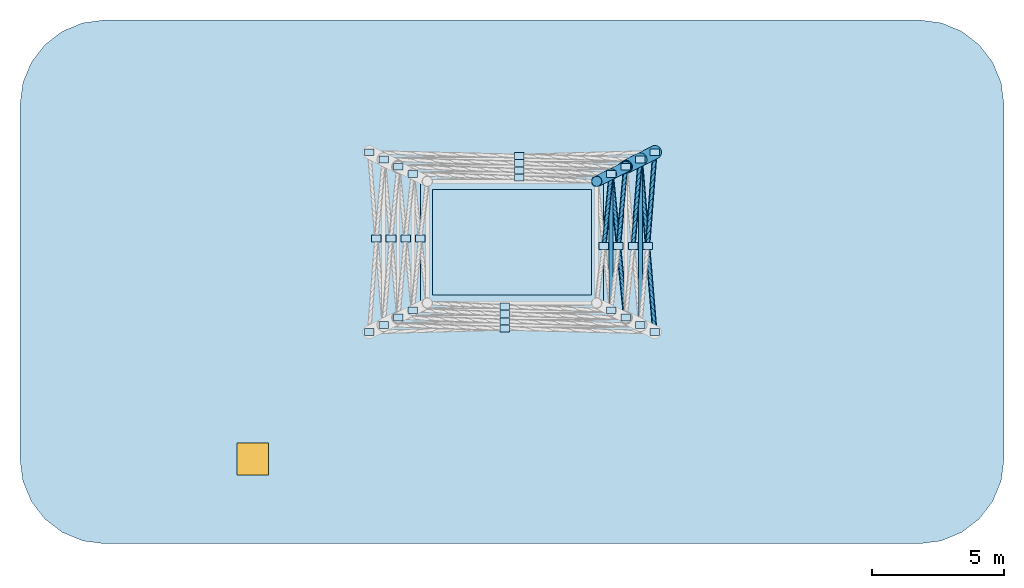
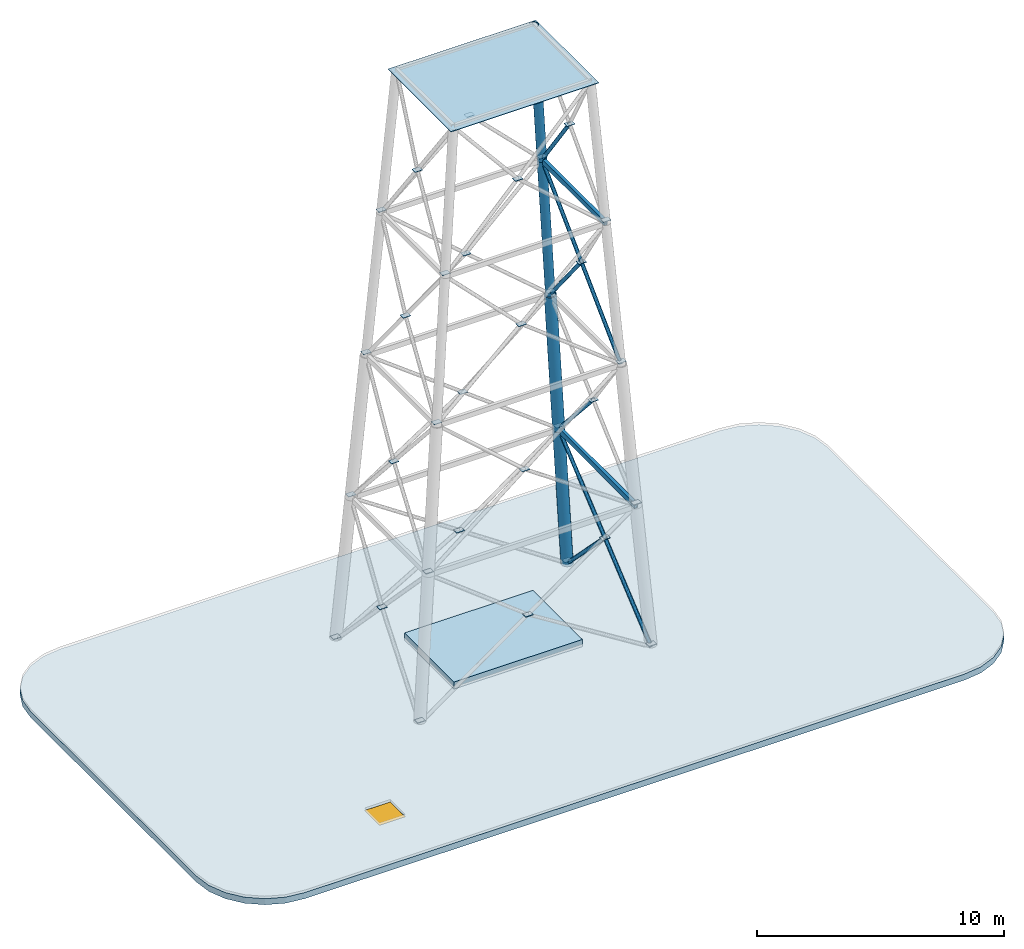
# One storey, part 2 of 3: 33 plates, 12 members, 2 slabs, 1 window, 1 opening.
"""IFC4 building model written with IfcOpenShell, lengths in metres."""

from ifc_helpers import new_model, si_unit, direction, frame, origin, origin_2d, place, context, subcontext, project, spatial, polyline, rectangle, hollow_rectangle, hollow_circle, outline, extrude, material, layer, layer_set, material_profile, profile_set, type_object, element, fill, save


model = new_model("IFC4")

# Units and contexts
model_context = context("Model", 3, precision=1e-05, world=origin(), true_north=direction((0.0, 1.0)))
body_context = subcontext(model_context, "Body", "Model", "MODEL_VIEW")
ifc_project = project(units=[si_unit("LENGTHUNIT", "METRE"), si_unit("AREAUNIT", "SQUARE_METRE"), si_unit("VOLUMEUNIT", "CUBIC_METRE"), si_unit("PLANEANGLEUNIT", "RADIAN"), si_unit("MASSUNIT", "GRAM", prefix="KILO")], contexts=[model_context])

# Site, building, storey
site_placement = place(None, origin())
site = spatial("IfcSite", under=ifc_project, at=site_placement, CompositionType="ELEMENT")
building_placement = place(site_placement, origin())
building = spatial("IfcBuilding", under=site, at=building_placement, Name="Zarnavel Station Tower", CompositionType="ELEMENT")
storey_placement = place(building_placement, frame((0.0, 0.0, 291.60009765625)))
storey = spatial("IfcBuildingStorey", under=building, at=storey_placement, Name="Roof", CompositionType="ELEMENT", Elevation=291.60009765625)

# Members
ifc_material_1 = material(Name="Steel S355J2", Category="steel")
ifc_material_profile_1 = material_profile(ifc_material_1, hollow_circle(Radius=0.084228515625, WallThickness=0.008056640625, at=origin_2d()), Name="CHS168.3x8")
ifc_profile_set_1 = profile_set([ifc_material_profile_1], Name="Steel S355J2")
member_type_1 = type_object("IfcMemberType", Name="MAST_DIAG_CHS168", PredefinedType="BRACE", material=ifc_profile_set_1)
member_1_placement = place(storey_placement, frame((34.199951171875, 28.800048828125, 0.0), z_axis=(-0.05738495784, 0.680723649907, 0.730289174965), x_axis=(-0.996465587481, -0.084001981913, 0.0)))
element("IfcMember", 1, at=member_1_placement, inside=storey, type_object=member_type_1, Name="Broadcast Mast Continuous Diagonal A T1-2", PredefinedType="BRACE", context=body_context, shape_type="SweptSolid", body=[
    extrude(hollow_circle(Radius=0.084228515625, WallThickness=0.008056640625, at=origin_2d()), origin(), (0.0, 0.0, 1.0), 9.585205078125),
])
member_2_placement = place(storey_placement, frame((34.199951171875, 35.60009765625, 0.0), z_axis=(-0.05515706823, -0.709792112475, 0.702248428188), x_axis=(0.996994279991, -0.077475193876, 0.0)))
element("IfcMember", 2, at=member_2_placement, inside=storey, type_object=member_type_1, Name="Broadcast Mast Split Diagonal B Lower T1-2", PredefinedType="BRACE", context=body_context, shape_type="SweptSolid", body=[
    extrude(hollow_circle(Radius=0.084228515625, WallThickness=0.008056640625, at=origin_2d()), origin(), (0.0, 0.0, 1.0), 4.98388671875),
])
member_3_placement = place(storey_placement, frame((33.64990234375, 35.324951171875, 7.0), z_axis=(-0.057359571195, -0.680724644648, 0.730290242137), x_axis=(0.996468707706, -0.083964960329, 0.0)))
element("IfcMember", 3, at=member_3_placement, inside=storey, type_object=member_type_1, Name="Broadcast Mast Split Diagonal B Lower T2-2", PredefinedType="BRACE", context=body_context, shape_type="SweptSolid", body=[
    extrude(hollow_circle(Radius=0.084228515625, WallThickness=0.008056640625, at=origin_2d()), origin(), (0.0, 0.0, 1.0), 4.792724609375),
])
member_4_placement = place(storey_placement, frame((33.10009765625, 29.35009765625, 14.0), z_axis=(-0.061990936244, 0.611379761803, 0.78890551442), x_axis=(-0.994898813192, -0.100877903966, 0.0)))
element("IfcMember", 4, at=member_4_placement, inside=storey, type_object=member_type_1, Name="Broadcast Mast Continuous Diagonal A T3-2", PredefinedType="BRACE", context=body_context, shape_type="SweptSolid", body=[
    extrude(hollow_circle(Radius=0.084228515625, WallThickness=0.008056640625, at=origin_2d()), origin(), (0.0, 0.0, 1.0), 8.873046875),
])
member_5_placement = place(storey_placement, frame((33.10009765625, 35.050048828125, 14.0), z_axis=(-0.059686032772, -0.648072744476, 0.75923599451), x_axis=(0.995785793262, -0.091709617472, 0.0)))
element("IfcMember", 5, at=member_5_placement, inside=storey, type_object=member_type_1, Name="Broadcast Mast Split Diagonal B Lower T3-2", PredefinedType="BRACE", context=body_context, shape_type="SweptSolid", body=[
    extrude(hollow_circle(Radius=0.084228515625, WallThickness=0.008056640625, at=origin_2d()), origin(), (0.0, 0.0, 1.0), 4.60986328125),
])
member_6_placement = place(storey_placement, frame((32.550048828125, 34.77490234375, 21.0), z_axis=(-0.062018345278, -0.611378718761, 0.788904168511), x_axis=(0.994894318466, -0.100922222944, 0.0)))
element("IfcMember", 6, at=member_6_placement, inside=storey, type_object=member_type_1, Name="Broadcast Mast Split Diagonal B Lower T4-2", PredefinedType="BRACE", context=body_context, shape_type="SweptSolid", body=[
    extrude(hollow_circle(Radius=0.084228515625, WallThickness=0.008056640625, at=origin_2d()), origin(), (0.0, 0.0, 1.0), 4.4365234375),
])
ifc_material_2 = material(Name="Steel S355J2", Category="steel")
ifc_material_profile_2 = material_profile(ifc_material_2, hollow_rectangle(XDim=0.14990234375, YDim=0.25, WallThickness=0.010009765625, at=origin_2d()), Name="RHS250x150x10")
ifc_profile_set_2 = profile_set([ifc_material_profile_2], Name="Steel S355J2")
member_type_2 = type_object("IfcMemberType", Name="MAST_GIRT_RHS250", PredefinedType="BRACE", material=ifc_profile_set_2)
member_7_placement = place(storey_placement, frame((33.64990234375, 29.074951171875, 7.0), z_axis=(0.0, 1.0, 0.0), x_axis=(-1.0, 0.0, 0.0)))
element("IfcMember", 7, at=member_7_placement, inside=storey, type_object=member_type_2, Name="Broadcast Mast Ring Girt T1-2", PredefinedType="BRACE", context=body_context, shape_type="SweptSolid", body=[
    extrude(hollow_rectangle(XDim=0.14990234375, YDim=0.25, WallThickness=0.010009765625, at=origin_2d()), origin(), (0.0, 0.0, 1.0), 6.25),
])
member_8_placement = place(storey_placement, frame((32.550048828125, 29.625, 21.0), z_axis=(0.0, 1.0, 0.0), x_axis=(-1.0, 0.0, 0.0)))
element("IfcMember", 8, at=member_8_placement, inside=storey, type_object=member_type_2, Name="Broadcast Mast Ring Girt T3-2", PredefinedType="BRACE", context=body_context, shape_type="SweptSolid", body=[
    extrude(hollow_rectangle(XDim=0.14990234375, YDim=0.25, WallThickness=0.010009765625, at=origin_2d()), origin(), (0.0, 0.0, 1.0), 5.14990234375),
])
ifc_material_3 = material(Name="Steel S460M", Category="steel")
ifc_material_profile_3 = material_profile(ifc_material_3, hollow_circle(Radius=0.203125, WallThickness=0.01611328125, at=origin_2d()), Name="CHS406.4x16")
ifc_profile_set_3 = profile_set([ifc_material_profile_3], Name="Steel S460M")
member_type_3 = type_object("IfcMemberType", Name="MAST_LEG_CHS406", PredefinedType="USERDEFINED", material=ifc_profile_set_3)
for number, where, z_axis, x_axis, name in (
    (9, (33.10009765625, 35.050048828125, 14.0), (-0.078276852743, -0.039155798065, 0.996162415373), (0.447372371903, -0.894347785181, 0.0), "Broadcast Mast Corner Leg Tier 3 Leg 3"),
    (10, (32.550048828125, 34.77490234375, 21.0), (-0.078276959184, -0.039121107874, 0.996163769959), (0.447054776807, -0.894506582723, 0.0), "Broadcast Mast Corner Leg Tier 4 Leg 3"),
):
    element("IfcMember", number, at=place(storey_placement, frame(where, z_axis=z_axis, x_axis=x_axis)), inside=storey, type_object=member_type_3, Name=name, ObjectType="MAST", PredefinedType="USERDEFINED", context=body_context, shape_type="SweptSolid", body=[
        extrude(hollow_circle(Radius=0.203125, WallThickness=0.01611328125, at=origin_2d()), origin(), (0.0, 0.0, 1.0), 7.02685546875),
    ])
ifc_material_4 = material(Name="Steel S460M", Category="steel")
ifc_material_profile_4 = material_profile(ifc_material_4, hollow_circle(Radius=0.25390625, WallThickness=0.02001953125, at=origin_2d()), Name="CHS508x20")
ifc_profile_set_4 = profile_set([ifc_material_profile_4], Name="Steel S460M")
member_type_4 = type_object("IfcMemberType", Name="MAST_LEG_CHS508", PredefinedType="USERDEFINED", material=ifc_profile_set_4)
for number, where, z_axis, x_axis, name in (
    (11, (34.199951171875, 35.60009765625, 0.0), (-0.078276852743, -0.039155798065, 0.996162415373), (0.447372371903, -0.894347785181, 0.0), "Broadcast Mast Corner Leg Tier 1 Leg 3"),
    (12, (33.64990234375, 35.324951171875, 7.0), (-0.078242428491, -0.039121214245, 0.996166478547), (0.4472135955, -0.894427191, 0.0), "Broadcast Mast Corner Leg Tier 2 Leg 3"),
):
    element("IfcMember", number, at=place(storey_placement, frame(where, z_axis=z_axis, x_axis=x_axis)), inside=storey, type_object=member_type_4, Name=name, ObjectType="MAST", PredefinedType="USERDEFINED", context=body_context, shape_type="SweptSolid", body=[
        extrude(hollow_circle(Radius=0.25390625, WallThickness=0.02001953125, at=origin_2d()), origin(), (0.0, 0.0, 1.0), 7.02685546875),
    ])

# Plates
ifc_material_5 = material(Name="Steel S460M", Category="steel")
ifc_layer_1 = layer(ifc_material_5, 0.02490234375)
ifc_layer_set_1 = layer_set([ifc_layer_1], Name="GP_GUSSET_25")
plate_type_1 = type_object("IfcPlateType", Name="GP_GUSSET_25", PredefinedType="USERDEFINED", material=ifc_layer_set_1)
plate_placement = place(storey_placement, frame((28.800048828125, 32.199951171875, 27.974853515625), z_axis=(0.0, 0.0, 1.0), x_axis=(1.0, 0.0, 0.0)))
element("IfcPlate", 13, at=plate_placement, inside=storey, type_object=plate_type_1, Name="Broadcast Mast Top Weather Cap Plate", ObjectType="GUSSET_PLATE", PredefinedType="USERDEFINED", context=body_context, shape_type="SweptSolid", body=[
    extrude(rectangle(XDim=6.89990234375, YDim=5.10009765625, at=origin_2d()), origin(), (0.0, 0.0, 1.0), 0.02490234375),
])
ifc_material_6 = material(Name="Steel S460M", Category="steel")
ifc_layer_2 = layer(ifc_material_6, 0.02001953125)
ifc_layer_set_2 = layer_set([ifc_layer_2], Name="GP_MAST_20")
plate_type_2 = type_object("IfcPlateType", Name="GP_MAST_20", PredefinedType="USERDEFINED", material=ifc_layer_set_2)
for number, where, z_axis, x_axis, name in (
    (14, (23.39990234375, 28.800048828125, 0.139892578125), (0.0, 0.0, 1.0), (1.0, 0.0, 0.0), "Broadcast Mast Splice Gusset T1-1"),
    (15, (34.199951171875, 28.800048828125, 0.139892578125), (0.0, 0.0, 1.0), (1.0, 0.0, 0.0), "Broadcast Mast Splice Gusset T1-2"),
    (16, (34.199951171875, 35.60009765625, 0.139892578125), (0.0, 0.0, 1.0), (1.0, 0.0, 0.0), "Broadcast Mast Splice Gusset T1-3"),
    (17, (23.39990234375, 35.60009765625, 0.139892578125), (0.0, 0.0, 1.0), (1.0, 0.0, 0.0), "Broadcast Mast Splice Gusset T1-4"),
    (18, (28.52490234375, 28.9375, 3.489990234375), (0.0, 0.0, 1.0), (1.0, 0.0, 0.0), "Broadcast Mast X-Crossing Gusset T1-1"),
    (19, (33.925048828125, 32.0625, 3.489990234375), (0.0, 0.0, 1.0), (1.0, 0.0, 0.0), "Broadcast Mast X-Crossing Gusset T1-2"),
    (20, (29.074951171875, 35.46240234375, 3.489990234375), (0.0, 0.0, 1.0), (1.0, 0.0, 0.0), "Broadcast Mast X-Crossing Gusset T1-3"),
    (21, (23.675048828125, 32.33740234375, 3.489990234375), (0.0, 0.0, 1.0), (1.0, 0.0, 0.0), "Broadcast Mast X-Crossing Gusset T1-4"),
    (22, (23.949951171875, 29.074951171875, 7.139892578125), (0.0, 0.0, 1.0), (1.0, 0.0, 0.0), "Broadcast Mast Splice Gusset T2-1"),
    (23, (33.64990234375, 29.074951171875, 7.139892578125), (0.0, 0.0, 1.0), (1.0, 0.0, 0.0), "Broadcast Mast Splice Gusset T2-2"),
    (24, (33.64990234375, 35.324951171875, 7.139892578125), (0.0, 0.0, 1.0), (1.0, 0.0, 0.0), "Broadcast Mast Splice Gusset T2-3"),
    (25, (23.949951171875, 35.324951171875, 7.139892578125), (0.0, 0.0, 1.0), (1.0, 0.0, 0.0), "Broadcast Mast Splice Gusset T2-4"),
    (26, (28.52490234375, 29.21240234375, 10.489990234375), (0.0, 0.0, 1.0), (1.0, 0.0, 0.0), "Broadcast Mast X-Crossing Gusset T2-1"),
    (27, (33.375, 32.0625, 10.489990234375), (0.0, 0.0, 1.0), (1.0, 0.0, 0.0), "Broadcast Mast X-Crossing Gusset T2-2"),
    (28, (29.074951171875, 35.1875, 10.489990234375), (0.0, 0.0, 1.0), (1.0, 0.0, 0.0), "Broadcast Mast X-Crossing Gusset T2-3"),
    (29, (24.22509765625, 32.33740234375, 10.489990234375), (0.0, 0.0, 1.0), (1.0, 0.0, 0.0), "Broadcast Mast X-Crossing Gusset T2-4"),
    (30, (24.5, 29.35009765625, 14.139892578125), (0.0, 0.0, 1.0), (1.0, 0.0, 0.0), "Broadcast Mast Splice Gusset T3-1"),
    (31, (33.10009765625, 29.35009765625, 14.139892578125), (0.0, 0.0, 1.0), (1.0, 0.0, 0.0), "Broadcast Mast Splice Gusset T3-2"),
    (32, (33.10009765625, 35.050048828125, 14.139892578125), (0.0, 0.0, 1.0), (1.0, 0.0, 0.0), "Broadcast Mast Splice Gusset T3-3"),
    (33, (24.5, 35.050048828125, 14.139892578125), (0.0, 0.0, 1.0), (1.0, 0.0, 0.0), "Broadcast Mast Splice Gusset T3-4"),
    (34, (28.52490234375, 29.487548828125, 17.489990234375), (0.0, 0.0, 1.0), (1.0, 0.0, 0.0), "Broadcast Mast X-Crossing Gusset T3-1"),
    (35, (32.824951171875, 32.0625, 17.489990234375), (0.0, 0.0, 1.0), (1.0, 0.0, 0.0), "Broadcast Mast X-Crossing Gusset T3-2"),
    (36, (29.074951171875, 34.91259765625, 17.489990234375), (0.0, 0.0, 1.0), (1.0, 0.0, 0.0), "Broadcast Mast X-Crossing Gusset T3-3"),
    (37, (24.77490234375, 32.33740234375, 17.489990234375), (0.0, 0.0, 1.0), (1.0, 0.0, 0.0), "Broadcast Mast X-Crossing Gusset T3-4"),
    (38, (25.050048828125, 29.625, 21.139892578125), (0.0, 0.0, 1.0), (1.0, 0.0, 0.0), "Broadcast Mast Splice Gusset T4-1"),
    (39, (32.550048828125, 29.625, 21.139892578125), (0.0, 0.0, 1.0), (1.0, 0.0, 0.0), "Broadcast Mast Splice Gusset T4-2"),
    (40, (32.550048828125, 34.77490234375, 21.139892578125), (0.0, 0.0, 1.0), (1.0, 0.0, 0.0), "Broadcast Mast Splice Gusset T4-3"),
    (41, (25.050048828125, 34.77490234375, 21.139892578125), (0.0, 0.0, 1.0), (1.0, 0.0, 0.0), "Broadcast Mast Splice Gusset T4-4"),
    (42, (28.52490234375, 29.762451171875, 24.489990234375), (0.0, 0.0, 1.0), (1.0, 0.0, 0.0), "Broadcast Mast X-Crossing Gusset T4-1"),
    (43, (32.27490234375, 32.0625, 24.489990234375), (0.0, 0.0, 1.0), (1.0, 0.0, 0.0), "Broadcast Mast X-Crossing Gusset T4-2"),
    (44, (29.074951171875, 34.637451171875, 24.489990234375), (0.0, 0.0, 1.0), (1.0, 0.0, 0.0), "Broadcast Mast X-Crossing Gusset T4-3"),
    (45, (25.324951171875, 32.33740234375, 24.489990234375), (0.0, 0.0, 1.0), (1.0, 0.0, 0.0), "Broadcast Mast X-Crossing Gusset T4-4"),
):
    element("IfcPlate", number, at=place(storey_placement, frame(where, z_axis=z_axis, x_axis=x_axis)), inside=storey, type_object=plate_type_2, Name=name, ObjectType="GUSSET_PLATE", PredefinedType="USERDEFINED", context=body_context, shape_type="SweptSolid", body=[
        extrude(rectangle(XDim=0.360107421875, YDim=0.260009765625, at=origin_2d()), origin(), (0.0, 0.0, 1.0), 0.02001953125),
    ])

# Slab, opening, window
ifc_material_7 = material(Name="Concrete C45/55", Category="concrete")
ifc_layer_3 = layer(ifc_material_7, 0.300048828125)
ifc_layer_set_3 = layer_set([ifc_layer_3], Name="SL_ROF_300")
slab_type = type_object("IfcSlabType", Name="SL_ROF_300", PredefinedType="ROOF", material=ifc_layer_set_3)
slab_1_placement = place(storey_placement, frame((0.0, 0.0, -0.300048828125)))
slab_1 = element("IfcSlab", 46, at=slab_1_placement, inside=storey, type_object=slab_type, Name="Roof Main Roof Slab", PredefinedType="ROOF", context=body_context, shape_type="SweptSolid", body=[
    extrude(outline(polyline([(44.199951171875, 20.800048828125), (45.0283203125, 20.908935546875), (45.800048828125, 21.228759765625), (46.462646484375, 21.7373046875), (46.97119140625, 22.39990234375), (47.291015625, 23.171875), (47.39990234375, 24.0), (47.39990234375, 37.39990234375), (47.291015625, 38.228271484375), (46.97119140625, 39.0), (46.462646484375, 39.66259765625), (45.800048828125, 40.17138671875), (45.0283203125, 40.490966796875), (44.199951171875, 40.60009765625), (13.39990234375, 40.60009765625), (12.57177734375, 40.490966796875), (11.800048828125, 40.17138671875), (11.13720703125, 39.66259765625), (10.628662109375, 39.0), (10.30908203125, 38.228271484375), (10.199951171875, 37.39990234375), (10.199951171875, 24.0), (10.30908203125, 23.171875), (10.628662109375, 22.39990234375), (11.13720703125, 21.7373046875), (11.800048828125, 21.228759765625), (12.57177734375, 20.908935546875), (13.39990234375, 20.800048828125), (44.199951171875, 20.800048828125)]), holes=[polyline([(18.39990234375, 23.39990234375), (19.60009765625, 23.39990234375), (19.60009765625, 24.60009765625), (18.39990234375, 24.60009765625), (18.39990234375, 23.39990234375)])]), origin(), (0.0, 0.0, 1.0), 0.300048828125),
])
opening_placement = place(slab_1_placement, frame((19.0, 24.0, 0.0)))
opening = element("IfcOpeningElement", 47, at=opening_placement, cuts=slab_1, Name="Opening SK02", PredefinedType="OPENING", context=body_context, shape_type="SweptSolid", body=[
    extrude(rectangle(XDim=1.199951171875, YDim=1.199951171875, at=origin_2d()), origin(), (0.0, 0.0, 1.0), 0.300048828125),
])
ifc_material_8 = material(Name="Thermally Broken Black Aluminium and Low-E Dark Glass", Category="aluminium")
window_type = type_object("IfcWindowType", Name="SK_HATCH_1200", PartitioningType="SINGLE_PANEL", PredefinedType="SKYLIGHT", material=ifc_material_8)
window_placement = place(opening_placement, frame((0.0, 0.0, 0.25)))
window = element("IfcWindow", 48, at=window_placement, inside=storey, type_object=window_type, Name="ROOF ACCESS HATCH", OverallHeight=1.199951171875, OverallWidth=1.199951171875, PartitioningType="SINGLE_PANEL", PredefinedType="SKYLIGHT", context=body_context, shape_type="SweptSolid", body=[
    extrude(rectangle(XDim=1.199951171875, YDim=1.199951171875, at=origin_2d()), origin(), (0.0, 0.0, 1.0), 0.050048828125),
])
fill(opening, window)

# Slab
slab_2_placement = place(storey_placement, origin())
element("IfcSlab", 49, at=slab_2_placement, inside=storey, type_object=slab_type, Name="Broadcast Mast RF Transmitter Plant Plinth", PredefinedType="ROOF", context=body_context, shape_type="SweptSolid", body=[
    extrude(outline(polyline([(25.800048828125, 30.199951171875), (31.800048828125, 30.199951171875), (31.800048828125, 34.199951171875), (25.800048828125, 34.199951171875), (25.800048828125, 30.199951171875)])), origin(), (0.0, 0.0, 1.0), 0.349853515625),
])

save(model, "model.ifc")
